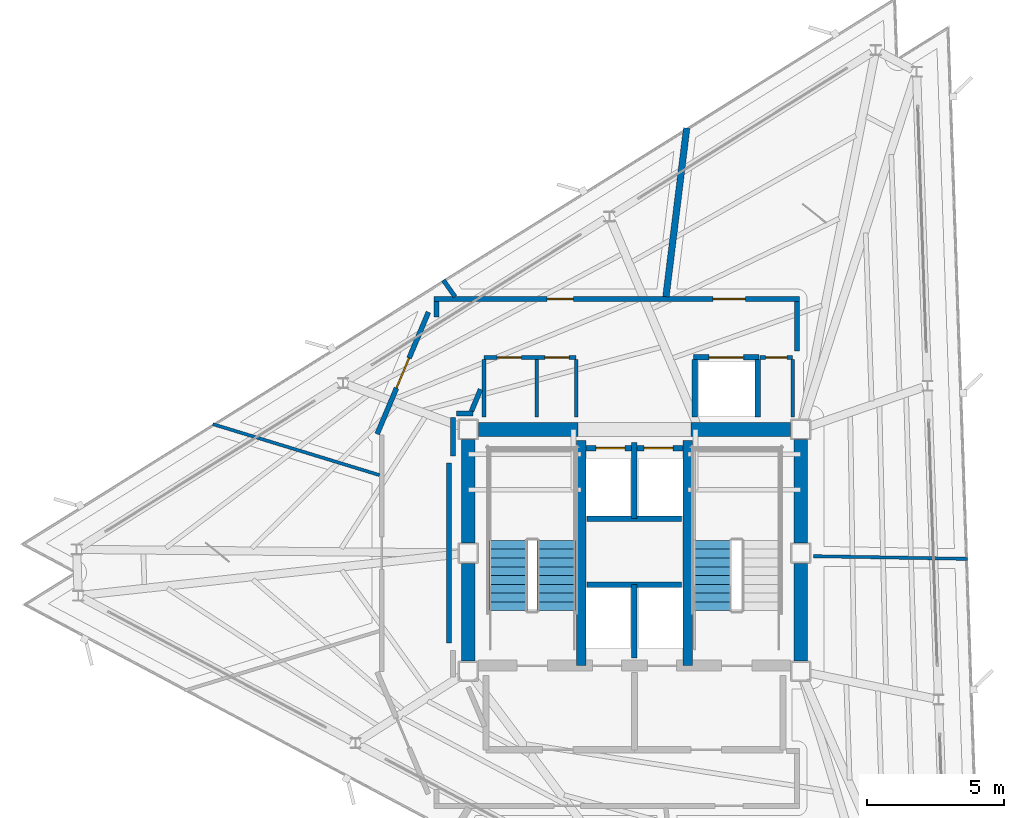
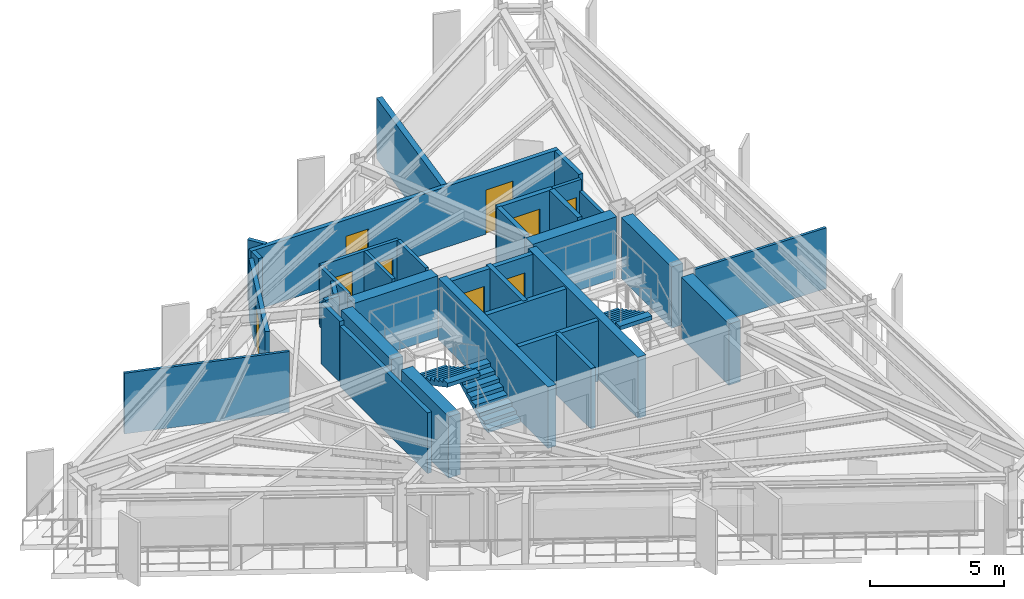
# One storey, part 9 of 13: 34 walls, 9 doors, 3 stair flights, 9 openings, 2 elements without a shape of their own.
"""IFC4 building model written with IfcOpenShell, lengths in metres."""

from ifc_helpers import new_model, si_unit, direction, frame, frame_2d, origin, place, context, subcontext, project, spatial, polyline, rectangle, outline, extrude, material, layer, layer_set, type_object, element, fill, aggregate, save


model = new_model("IFC4")

# Units and contexts
model_context = context("Model", 3, precision=1e-05, world=origin(), true_north=direction((0.0, 1.0)))
body_context = subcontext(model_context, "Body", "Model", "MODEL_VIEW")
ifc_project = project(units=[si_unit("LENGTHUNIT", "METRE"), si_unit("AREAUNIT", "SQUARE_METRE"), si_unit("VOLUMEUNIT", "CUBIC_METRE"), si_unit("PLANEANGLEUNIT", "RADIAN"), si_unit("MASSUNIT", "GRAM", prefix="KILO")], contexts=[model_context])

# Site, building, storey
site_placement = place(None, origin())
site = spatial("IfcSite", under=ifc_project, at=site_placement, CompositionType="ELEMENT")
building_placement = place(site_placement, origin())
building = spatial("IfcBuilding", under=site, at=building_placement, Name="Rocaltana Carrier Exchange", CompositionType="ELEMENT")
storey_placement = place(building_placement, frame((0.0, 0.0, 208.800048828125)))
storey = spatial("IfcBuildingStorey", under=building, at=storey_placement, Name="L66", CompositionType="ELEMENT", Elevation=208.800048828125)

# Walls
ifc_material_1 = material(Name="Double Acoustic Gypsum Partition", Category="gypsum")
ifc_layer_1 = layer(ifc_material_1, 0.159912109375)
ifc_layer_set_1 = layer_set([ifc_layer_1], Name="Double Acoustic Gypsum Partition")
wall_type_1 = type_object("IfcWallType", Name="Acoustic Studio Partition 160 EI60", PredefinedType="PARTITIONING", material=ifc_layer_set_1)
wall_1_placement = place(storey_placement, frame((-6.532958984375, 9.330078125, 0.0), z_axis=(0.0, 0.0, 1.0), x_axis=(-0.573639237496, 0.819108066866, 0.0)))
element("IfcWall", 1, at=wall_1_placement, inside=storey, type_object=wall_type_1, Name="L66 Suite Divider Wall D6", PredefinedType="PARTITIONING", context=body_context, shape_type="SweptSolid", body=[
    extrude(rectangle(XDim=0.740966796875, YDim=0.159912109375, at=frame_2d((0.37060546875, 0.0))), origin(), (0.0, 0.0, 1.0), 2.77294921875),
])
ifc_material_2 = material(Name="Concrete C50/60", Category="concrete")
ifc_layer_2 = layer(ifc_material_2, 0.35009765625)
ifc_layer_set_2 = layer_set([ifc_layer_2], Name="Concrete C50/60")
wall_type_2 = type_object("IfcWallType", Name="Core Internal Shear Wall 350", PredefinedType="SHEAR", material=ifc_layer_set_2)
for number, where, z_axis, x_axis, name in (
    (2, (-1.93994140625, -4.10009765625, 0.0), (0.0, 0.0, 1.0), (0.0, 1.0, 0.0), "L66 Core Shear Wall CW-STW"),
    (3, (1.93994140625, -4.10009765625, 0.0), (0.0, 0.0, 1.0), (0.0, 1.0, 0.0), "L66 Core Shear Wall CW-STE"),
):
    element("IfcWall", number, at=place(storey_placement, frame(where, z_axis=z_axis, x_axis=x_axis)), inside=storey, type_object=wall_type_2, Name=name, PredefinedType="SHEAR", context=body_context, shape_type="SweptSolid", body=[
        extrude(rectangle(XDim=8.2001953125, YDim=0.35009765625, at=frame_2d((4.10009765625, 0.0))), origin(), (0.0, 0.0, 1.0), 2.7978515625),
    ])
ifc_material_3 = material(Name="Concrete C50/60", Category="concrete")
ifc_layer_3 = layer(ifc_material_3, 0.5)
ifc_layer_set_3 = layer_set([ifc_layer_3], Name="Concrete C50/60")
wall_type_3 = type_object("IfcWallType", Name="Core Shear Wall 500", PredefinedType="SHEAR", material=ifc_layer_set_3)
wall_2_placement = place(storey_placement, frame((-6.050048828125, 0.375, 0.0), z_axis=(0.0, 0.0, 1.0), x_axis=(0.0, 1.0, 0.0)))
element("IfcWall", 4, at=wall_2_placement, inside=storey, type_object=wall_type_3, Name="L66 Core Shear Wall CW-WN", PredefinedType="SHEAR", context=body_context, shape_type="SweptSolid", body=[
    extrude(rectangle(XDim=3.75, YDim=0.5, at=frame_2d((1.875, 0.0))), origin(), (0.0, 0.0, 1.0), 2.7978515625),
])
wall_3_placement = place(storey_placement, frame((-6.050048828125, -3.925048828125, 0.0), z_axis=(0.0, 0.0, 1.0), x_axis=(0.0, 1.0, 0.0)))
element("IfcWall", 5, at=wall_3_placement, inside=storey, type_object=wall_type_3, Name="L66 Core Shear Wall CW-WS", PredefinedType="SHEAR", context=body_context, shape_type="SweptSolid", body=[
    extrude(rectangle(XDim=3.550048828125, YDim=0.5, at=frame_2d((1.77490234375, 0.0))), origin(), (0.0, 0.0, 1.0), 2.7978515625),
])
wall_4_placement = place(storey_placement, frame((6.050048828125, 0.375, 0.0), z_axis=(0.0, 0.0, 1.0), x_axis=(0.0, 1.0, 0.0)))
element("IfcWall", 6, at=wall_4_placement, inside=storey, type_object=wall_type_3, Name="L66 Core Shear Wall CW-EN", PredefinedType="SHEAR", context=body_context, shape_type="SweptSolid", body=[
    extrude(rectangle(XDim=3.75, YDim=0.5, at=frame_2d((1.875, 0.0))), origin(), (0.0, 0.0, 1.0), 2.7978515625),
])
wall_5_placement = place(storey_placement, frame((6.050048828125, -3.925048828125, 0.0), z_axis=(0.0, 0.0, 1.0), x_axis=(0.0, 1.0, 0.0)))
element("IfcWall", 7, at=wall_5_placement, inside=storey, type_object=wall_type_3, Name="L66 Core Shear Wall CW-ES", PredefinedType="SHEAR", context=body_context, shape_type="SweptSolid", body=[
    extrude(rectangle(XDim=3.550048828125, YDim=0.5, at=frame_2d((1.77490234375, 0.0))), origin(), (0.0, 0.0, 1.0), 2.7978515625),
])
for number, where, z_axis, x_axis, name in (
    (8, (-5.675048828125, 4.5, 0.0), (0.0, 0.0, 1.0), (1.0, 0.0, 0.0), "L66 Core Shear Wall CW-N1"),
    (9, (2.050048828125, 4.5, 0.0), (0.0, 0.0, 1.0), (1.0, 0.0, 0.0), "L66 Core Shear Wall CW-N2"),
):
    element("IfcWall", number, at=place(storey_placement, frame(where, z_axis=z_axis, x_axis=x_axis)), inside=storey, type_object=wall_type_3, Name=name, PredefinedType="SHEAR", context=body_context, shape_type="SweptSolid", body=[
        extrude(rectangle(XDim=3.625, YDim=0.5, at=frame_2d((1.8125, 0.0))), origin(), (0.0, 0.0, 1.0), 2.7978515625),
    ])

# Wall, opening, door
ifc_material_4 = material(Name="Gypsum & Steel Stud Partition", Category="steel")
ifc_layer_4 = layer(ifc_material_4, 0.179931640625)
ifc_layer_set_4 = layer_set([ifc_layer_4], Name="Gypsum & Steel Stud Partition")
wall_type_4 = type_object("IfcWallType", Name="Corridor Fire Partition 180 EI60", PredefinedType="PARTITIONING", material=ifc_layer_set_4)
wall_6_placement = place(storey_placement, frame((-9.36669921875, 4.331787109375, 0.0), z_axis=(0.0, 0.0, 1.0), x_axis=(0.387573945081, 0.921838617706, 0.0)))
wall_6 = element("IfcWall", 10, at=wall_6_placement, inside=storey, type_object=wall_type_4, Name="L66 Corridor Partition 3", PredefinedType="PARTITIONING", context=body_context, shape_type="SweptSolid", body=[
    extrude(rectangle(XDim=4.813232421875, YDim=0.179931640625, at=frame_2d((2.40673828125, 0.0))), origin(), (0.0, 0.0, 1.0), 2.77294921875),
])
opening_1_placement = place(wall_6_placement, frame((1.816650390625, 0.0, 0.0)))
opening_1 = element("IfcOpeningElement", 11, at=opening_1_placement, cuts=wall_6, Name="Opening D-SU120", PredefinedType="OPENING", context=body_context, shape_type="SweptSolid", body=[
    extrude(rectangle(XDim=1.179931640625, YDim=2.02001953125, at=frame_2d((0.58984375, 1.010009765625))), frame((0.0, 0.099853515625, 0.0), z_axis=(0.0, -1.0, 0.0), x_axis=(1.0, 0.0, 0.0)), (0.0, 0.0, 1.0), 0.199951171875),
])
ifc_material_5 = material(Name="Engineered Hardwood Timber", Category="wood")
door_type_1 = type_object("IfcDoorType", Name="Suite Double Entrance Door 1180x2020", OperationType="NOTDEFINED", PredefinedType="DOOR", material=ifc_material_5)
door_1_placement = place(opening_1_placement, origin())
door_1 = element("IfcDoor", 12, at=door_1_placement, inside=storey, type_object=door_type_1, Name="L66 Carrier Peering Suite Entrance Door", OperationType="SINGLE_SWING_LEFT", OverallHeight=2.02001953125, OverallWidth=1.179931640625, PredefinedType="DOOR", context=body_context, shape_type="SweptSolid", body=[
    extrude(rectangle(XDim=1.179931640625, YDim=2.02001953125, at=frame_2d((0.58984375, 1.010009765625))), frame((0.0, 0.02490234375, 0.0), z_axis=(0.0, -1.0, 0.0), x_axis=(1.0, 0.0, 0.0)), (0.0, 0.0, 1.0), 0.050048828125),
])
fill(opening_1, door_1)

# Wall
wall_7_placement = place(storey_placement, frame((-7.199951171875, 8.6005859375, 0.0), z_axis=(0.0, 0.0, 1.0), x_axis=(0.0, 1.0, 0.0)))
element("IfcWall", 13, at=wall_7_placement, inside=storey, type_object=wall_type_4, Name="L66 Corridor Partition 4", PredefinedType="PARTITIONING", context=body_context, shape_type="SweptSolid", body=[
    extrude(rectangle(XDim=0.559326171875, YDim=0.179931640625, at=frame_2d((0.27978515625, 0.0))), origin(), (0.0, 0.0, 1.0), 2.77294921875),
])

# Wall, openings, doors
wall_8_placement = place(storey_placement, frame((-7.2900390625, 9.25, 0.0), z_axis=(0.0, 0.0, 1.0), x_axis=(1.0, 0.0, 0.0)))
wall_8 = element("IfcWall", 14, at=wall_8_placement, inside=storey, type_object=wall_type_4, Name="L66 Corridor Partition 5", PredefinedType="PARTITIONING", context=body_context, shape_type="SweptSolid", body=[
    extrude(rectangle(XDim=13.300048828125, YDim=0.179931640625, at=frame_2d((6.64990234375, 0.0))), origin(), (0.0, 0.0, 1.0), 2.77294921875),
])
opening_2_placement = place(wall_8_placement, frame((10.14794921875, 0.0, 0.0)))
opening_2 = element("IfcOpeningElement", 15, at=opening_2_placement, cuts=wall_8, Name="Opening D-SU120", PredefinedType="OPENING", context=body_context, shape_type="SweptSolid", body=[
    extrude(rectangle(XDim=1.179931640625, YDim=2.02001953125, at=frame_2d((0.58984375, 1.010009765625))), frame((0.0, 0.099853515625, 0.0), z_axis=(0.0, -1.0, 0.0), x_axis=(1.0, 0.0, 0.0)), (0.0, 0.0, 1.0), 0.199951171875),
])
opening_3_placement = place(wall_8_placement, frame((4.109619140625, 0.0, 0.0)))
opening_3 = element("IfcOpeningElement", 16, at=opening_3_placement, cuts=wall_8, Name="Opening D-RM098", PredefinedType="OPENING", context=body_context, shape_type="SweptSolid", body=[
    extrude(rectangle(XDim=0.9599609375, YDim=2.02001953125, at=frame_2d((0.47998046875, 1.010009765625))), frame((0.0, 0.099853515625, 0.0), z_axis=(0.0, -1.0, 0.0), x_axis=(1.0, 0.0, 0.0)), (0.0, 0.0, 1.0), 0.199951171875),
])
door_2_placement = place(opening_2_placement, origin())
door_2 = element("IfcDoor", 17, at=door_2_placement, inside=storey, type_object=door_type_1, Name="L66 Carrier Peering Suite Entrance Door", OperationType="SINGLE_SWING_LEFT", OverallHeight=2.02001953125, OverallWidth=1.179931640625, PredefinedType="DOOR", context=body_context, shape_type="SweptSolid", body=[
    extrude(rectangle(XDim=1.179931640625, YDim=2.02001953125, at=frame_2d((0.58984375, 1.010009765625))), frame((0.0, 0.02490234375, 0.0), z_axis=(0.0, -1.0, 0.0), x_axis=(1.0, 0.0, 0.0)), (0.0, 0.0, 1.0), 0.050048828125),
])
fill(opening_2, door_2)
ifc_material_6 = material(Name="Engineered Hardwood Timber", Category="wood")
door_type_2 = type_object("IfcDoorType", Name="Workspace Single Door 960x2020", OperationType="NOTDEFINED", PredefinedType="DOOR", material=ifc_material_6)
door_3_placement = place(opening_3_placement, origin())
door_3 = element("IfcDoor", 18, at=door_3_placement, inside=storey, type_object=door_type_2, Name="L66 Peering Conference Room Entrance Door", OperationType="SINGLE_SWING_RIGHT", OverallHeight=2.02001953125, OverallWidth=0.9599609375, PredefinedType="DOOR", context=body_context, shape_type="SweptSolid", body=[
    extrude(rectangle(XDim=0.9599609375, YDim=2.02001953125, at=frame_2d((0.47998046875, 1.010009765625))), frame((0.0, 0.02490234375, 0.0), z_axis=(0.0, -1.0, 0.0), x_axis=(1.0, 0.0, 0.0)), (0.0, 0.0, 1.0), 0.050048828125),
])
fill(opening_3, door_3)

# Walls
wall_9_placement = place(storey_placement, frame((5.919921875, 9.159912109375, 0.0), z_axis=(0.0, 0.0, 1.0), x_axis=(0.0, -1.0, 0.0)))
element("IfcWall", 19, at=wall_9_placement, inside=storey, type_object=wall_type_4, Name="L66 Corridor Partition 6", PredefinedType="PARTITIONING", context=body_context, shape_type="SweptSolid", body=[
    extrude(rectangle(XDim=1.7998046875, YDim=0.179931640625, at=frame_2d((0.89990234375, 0.0))), origin(), (0.0, 0.0, 1.0), 2.77294921875),
])
wall_10_placement = place(storey_placement, frame((-5.602294921875, 5.9580078125, 0.0), z_axis=(0.0, 0.0, 1.0), x_axis=(-0.387588639363, -0.921832439566, 0.0)))
element("IfcWall", 20, at=wall_10_placement, inside=storey, type_object=wall_type_4, Name="L66 Corridor Partition 8", PredefinedType="PARTITIONING", context=body_context, shape_type="SweptSolid", body=[
    extrude(rectangle(XDim=0.8623046875, YDim=0.179931640625, at=frame_2d((0.43115234375, 0.0))), origin(), (0.0, 0.0, 1.0), 2.77294921875),
])
wall_11_placement = place(storey_placement, frame((-5.88134765625, 5.080078125, 0.0), z_axis=(0.0, 0.0, 1.0), x_axis=(-1.0, 0.0, 0.0)))
element("IfcWall", 21, at=wall_11_placement, inside=storey, type_object=wall_type_4, Name="L66 Corridor Partition 9", PredefinedType="PARTITIONING", context=body_context, shape_type="SweptSolid", body=[
    extrude(rectangle(XDim=0.588623046875, YDim=0.179931640625, at=frame_2d((0.29443359375, 0.0))), origin(), (0.0, 0.0, 1.0), 2.77294921875),
])
wall_12_placement = place(storey_placement, frame((-6.610107421875, 4.93994140625, 0.0), z_axis=(0.0, 0.0, 1.0), x_axis=(0.0, -1.0, 0.0)))
element("IfcWall", 22, at=wall_12_placement, inside=storey, type_object=wall_type_4, Name="L66 Corridor Partition 10", PredefinedType="PARTITIONING", context=body_context, shape_type="SweptSolid", body=[
    extrude(rectangle(XDim=1.398681640625, YDim=0.179931640625, at=frame_2d((0.69921875, 0.0))), origin(), (0.0, 0.0, 1.0), 2.77294921875),
])
wall_13_placement = place(storey_placement, frame((-6.75, 3.2734375, 0.0), z_axis=(0.0, 0.0, 1.0), x_axis=(0.0, -1.0, 0.0)))
element("IfcWall", 23, at=wall_13_placement, inside=storey, type_object=wall_type_4, Name="L66 Corridor Partition 11", PredefinedType="PARTITIONING", context=body_context, shape_type="SweptSolid", body=[
    extrude(rectangle(XDim=6.546875, YDim=0.179931640625, at=frame_2d((3.2734375, 0.0))), origin(), (0.0, 0.0, 1.0), 2.77294921875),
])
ifc_material_7 = material(Name="Aluminium 6063-T6 & Acoustic Glass", Category="aluminium")
ifc_layer_5 = layer(ifc_material_7, 0.114990234375)
ifc_layer_set_5 = layer_set([ifc_layer_5], Name="Aluminium 6063-T6 & Acoustic Glass")
wall_type_5 = type_object("IfcWallType", Name="Demountable Glazed Lab Partition 115", PredefinedType="MOVABLE", material=ifc_layer_set_5)
wall_14_placement = place(storey_placement, frame((6.510009765625, -0.113525390625, 0.0), z_axis=(0.0, 0.0, 1.0), x_axis=(0.999847502382, -0.017463446992, 0.0)))
element("IfcWall", 24, at=wall_14_placement, inside=storey, type_object=wall_type_5, Name="L66 Suite Divider Wall D4", PredefinedType="MOVABLE", context=body_context, shape_type="SweptSolid", body=[
    extrude(rectangle(XDim=5.6201171875, YDim=0.114990234375, at=frame_2d((2.81005859375, 0.0))), origin(), (0.0, 0.0, 1.0), 2.77294921875),
])
wall_15_placement = place(storey_placement, frame((-9.280029296875, 2.837158203125, 0.0), z_axis=(0.0, 0.0, 1.0), x_axis=(-0.956301397149, 0.292382690682, 0.0)))
element("IfcWall", 25, at=wall_15_placement, inside=storey, type_object=wall_type_5, Name="L66 Suite Divider Wall D7", PredefinedType="MOVABLE", context=body_context, shape_type="SweptSolid", body=[
    extrude(rectangle(XDim=6.34765625, YDim=0.114990234375, at=frame_2d((3.173828125, 0.0))), origin(), (0.0, 0.0, 1.0), 2.77294921875),
])
ifc_material_8 = material(Name="Acoustic Calcium Silicate Partition", Category="gypsum")
ifc_layer_6 = layer(ifc_material_8, 0.239990234375)
ifc_layer_set_6 = layer_set([ifc_layer_6], Name="Acoustic Calcium Silicate Partition")
wall_type_6 = type_object("IfcWallType", Name="Heavy Lab Partition 240 EI90", PredefinedType="PARTITIONING", material=ifc_layer_set_6)
wall_16_placement = place(storey_placement, frame((1.1455078125, 9.330078125, 0.0), z_axis=(0.0, 0.0, 1.0), x_axis=(0.121873572304, 0.992545632389, 0.0)))
element("IfcWall", 26, at=wall_16_placement, inside=storey, type_object=wall_type_6, Name="L66 Suite Divider Wall D5", PredefinedType="PARTITIONING", context=body_context, shape_type="SweptSolid", body=[
    extrude(rectangle(XDim=6.18798828125, YDim=0.239990234375, at=frame_2d((3.093994140625, 0.0))), origin(), (0.0, 0.0, 1.0), 2.77294921875),
])
ifc_material_9 = material(Name="Reinforced Concrete Block C35/45", Category="concrete")
ifc_layer_7 = layer(ifc_material_9, 0.199951171875)
ifc_layer_set_7 = layer_set([ifc_layer_7], Name="Reinforced Concrete Block C35/45")
wall_type_7 = type_object("IfcWallType", Name="Lift Hoistway Enclosure Wall 200 EI120", PredefinedType="PARTITIONING", material=ifc_layer_set_7)
wall_17_placement = place(storey_placement, frame((0.0, -3.820068359375, 0.0), z_axis=(0.0, 0.0, 1.0), x_axis=(0.0, 1.0, 0.0)))
element("IfcWall", 27, at=wall_17_placement, inside=storey, type_object=wall_type_7, Name="L66 FFL Shaft Divider", PredefinedType="PARTITIONING", context=body_context, shape_type="SweptSolid", body=[
    extrude(rectangle(XDim=2.670166015625, YDim=0.199951171875, at=frame_2d((1.3349609375, 0.0))), origin(), (0.0, 0.0, 1.0), 2.77294921875),
])
wall_18_placement = place(storey_placement, frame((-1.719970703125, -1.14990234375, 0.0), z_axis=(0.0, 0.0, 1.0), x_axis=(1.0, 0.0, 0.0)))
element("IfcWall", 28, at=wall_18_placement, inside=storey, type_object=wall_type_7, Name="L66 FFL Shaft Back Wall", PredefinedType="PARTITIONING", context=body_context, shape_type="SweptSolid", body=[
    extrude(rectangle(XDim=3.43994140625, YDim=0.199951171875, at=frame_2d((1.719970703125, 0.0))), origin(), (0.0, 0.0, 1.0), 2.77294921875),
])
wall_19_placement = place(storey_placement, frame((0.0, 1.25, 0.0), z_axis=(0.0, 0.0, 1.0), x_axis=(0.0, 1.0, 0.0)))
element("IfcWall", 29, at=wall_19_placement, inside=storey, type_object=wall_type_7, Name="L66 High-Rise Shaft Divider", PredefinedType="PARTITIONING", context=body_context, shape_type="SweptSolid", body=[
    extrude(rectangle(XDim=2.77001953125, YDim=0.199951171875, at=frame_2d((1.385009765625, 0.0))), origin(), (0.0, 0.0, 1.0), 2.77294921875),
])
wall_20_placement = place(storey_placement, frame((-1.719970703125, 1.25, 0.0), z_axis=(0.0, 0.0, 1.0), x_axis=(1.0, 0.0, 0.0)))
element("IfcWall", 30, at=wall_20_placement, inside=storey, type_object=wall_type_7, Name="L66 High-Rise Shaft Back Wall", PredefinedType="PARTITIONING", context=body_context, shape_type="SweptSolid", body=[
    extrude(rectangle(XDim=3.43994140625, YDim=0.199951171875, at=frame_2d((1.719970703125, 0.0))), origin(), (0.0, 0.0, 1.0), 2.77294921875),
])

# Wall, openings, doors
wall_21_placement = place(storey_placement, frame((-1.760009765625, 3.820068359375, 0.0), z_axis=(0.0, 0.0, 1.0), x_axis=(1.0, 0.0, 0.0)))
wall_21 = element("IfcWall", 31, at=wall_21_placement, inside=storey, type_object=wall_type_7, Name="L66 High-Rise Lift Front Wall", PredefinedType="PARTITIONING", context=body_context, shape_type="SweptSolid", body=[
    extrude(rectangle(XDim=3.52001953125, YDim=0.199951171875, at=frame_2d((1.760009765625, 0.0))), origin(), (0.0, 0.0, 1.0), 2.77294921875),
])
opening_4_placement = place(wall_21_placement, frame((0.35009765625, 0.0, 0.0)))
opening_4 = element("IfcOpeningElement", 32, at=opening_4_placement, cuts=wall_21, Name="Opening LD-110", PredefinedType="OPENING", context=body_context, shape_type="SweptSolid", body=[
    extrude(rectangle(XDim=1.06005859375, YDim=2.0400390625, at=frame_2d((0.530029296875, 1.02001953125))), frame((0.0, 0.10986328125, 0.0), z_axis=(0.0, -1.0, 0.0), x_axis=(1.0, 0.0, 0.0)), (0.0, 0.0, 1.0), 0.219970703125),
])
opening_5_placement = place(wall_21_placement, frame((2.110107421875, 0.0, 0.0)))
opening_5 = element("IfcOpeningElement", 33, at=opening_5_placement, cuts=wall_21, Name="Opening LD-110", PredefinedType="OPENING", context=body_context, shape_type="SweptSolid", body=[
    extrude(rectangle(XDim=1.06005859375, YDim=2.0400390625, at=frame_2d((0.530029296875, 1.02001953125))), frame((0.0, 0.10986328125, 0.0), z_axis=(0.0, -1.0, 0.0), x_axis=(1.0, 0.0, 0.0)), (0.0, 0.0, 1.0), 0.219970703125),
])
ifc_material_10 = material(Name="Brushed Stainless Sliding Door Leaf", Category="steel")
door_type_3 = type_object("IfcDoorType", Name="Lift Landing Sliding Door 1060x2040", OperationType="NOTDEFINED", PredefinedType="DOOR", material=ifc_material_10)
door_4_placement = place(opening_4_placement, origin())
door_4 = element("IfcDoor", 34, at=door_4_placement, inside=storey, type_object=door_type_3, Name="L66 High-Rise Lift PLH1 Landing Door", OperationType="SLIDING_TO_LEFT", OverallHeight=2.0400390625, OverallWidth=1.06005859375, PredefinedType="DOOR", context=body_context, shape_type="SweptSolid", body=[
    extrude(rectangle(XDim=1.06005859375, YDim=2.0400390625, at=frame_2d((0.530029296875, 1.02001953125))), frame((0.0, 0.02490234375, 0.0), z_axis=(0.0, -1.0, 0.0), x_axis=(1.0, 0.0, 0.0)), (0.0, 0.0, 1.0), 0.050048828125),
])
fill(opening_4, door_4)
door_5_placement = place(opening_5_placement, origin())
door_5 = element("IfcDoor", 35, at=door_5_placement, inside=storey, type_object=door_type_3, Name="L66 High-Rise Lift PLH2 Landing Door", OperationType="SLIDING_TO_RIGHT", OverallHeight=2.0400390625, OverallWidth=1.06005859375, PredefinedType="DOOR", context=body_context, shape_type="SweptSolid", body=[
    extrude(rectangle(XDim=1.06005859375, YDim=2.0400390625, at=frame_2d((0.530029296875, 1.02001953125))), frame((0.0, 0.02490234375, 0.0), z_axis=(0.0, -1.0, 0.0), x_axis=(1.0, 0.0, 0.0)), (0.0, 0.0, 1.0), 0.050048828125),
])
fill(opening_5, door_5)

# Walls
for number, where, z_axis, x_axis, name in (
    (36, (2.199951171875, 4.949951171875, 0.0), (0.0, 0.0, 1.0), (0.0, 1.0, 0.0), "L66 Goods Lift West Wall"),
    (37, (4.47998046875, 4.949951171875, 0.0), (0.0, 0.0, 1.0), (0.0, 1.0, 0.0), "L66 Goods Lift East Wall"),
):
    element("IfcWall", number, at=place(storey_placement, frame(where, z_axis=z_axis, x_axis=x_axis)), inside=storey, type_object=wall_type_7, Name=name, PredefinedType="PARTITIONING", context=body_context, shape_type="SweptSolid", body=[
        extrude(rectangle(XDim=2.10009765625, YDim=0.199951171875, at=frame_2d((1.050048828125, 0.0))), origin(), (0.0, 0.0, 1.0), 2.77294921875),
    ])

# Wall, opening, door
wall_22_placement = place(storey_placement, frame((2.14990234375, 7.1201171875, 0.0), z_axis=(0.0, 0.0, 1.0), x_axis=(1.0, 0.0, 0.0)))
wall_22 = element("IfcWall", 38, at=wall_22_placement, inside=storey, type_object=wall_type_7, Name="L66 Goods Lift Front Wall", PredefinedType="PARTITIONING", context=body_context, shape_type="SweptSolid", body=[
    extrude(rectangle(XDim=2.380126953125, YDim=0.199951171875, at=frame_2d((1.18994140625, 0.0))), origin(), (0.0, 0.0, 1.0), 2.77294921875),
])
opening_6_placement = place(wall_22_placement, frame((0.56005859375, 0.0, 0.0)))
opening_6 = element("IfcOpeningElement", 39, at=opening_6_placement, cuts=wall_22, Name="Opening LD-130", PredefinedType="OPENING", context=body_context, shape_type="SweptSolid", body=[
    extrude(rectangle(XDim=1.260009765625, YDim=2.06005859375, at=frame_2d((0.6298828125, 1.030029296875))), frame((0.0, 0.10986328125, 0.0), z_axis=(0.0, -1.0, 0.0), x_axis=(1.0, 0.0, 0.0)), (0.0, 0.0, 1.0), 0.219970703125),
])
ifc_material_11 = material(Name="Brushed Stainless Sliding Door Leaf", Category="steel")
door_type_4 = type_object("IfcDoorType", Name="Goods Lift Landing Sliding Door 1260x2060", OperationType="NOTDEFINED", PredefinedType="DOOR", material=ifc_material_11)
door_6_placement = place(opening_6_placement, origin())
door_6 = element("IfcDoor", 40, at=door_6_placement, inside=storey, type_object=door_type_4, Name="L66 Goods Lift GL-1 Landing Door", OperationType="SLIDING_TO_LEFT", OverallHeight=2.06005859375, OverallWidth=1.260009765625, PredefinedType="DOOR", context=body_context, shape_type="SweptSolid", body=[
    extrude(rectangle(XDim=1.260009765625, YDim=2.06005859375, at=frame_2d((0.6298828125, 1.030029296875))), frame((0.0, 0.02490234375, 0.0), z_axis=(0.0, -1.0, 0.0), x_axis=(1.0, 0.0, 0.0)), (0.0, 0.0, 1.0), 0.050048828125),
])
fill(opening_6, door_6)

# Walls
ifc_material_12 = material(Name="Moisture-Resistant Masonry C30/37", Category="masonry")
ifc_layer_8 = layer(ifc_material_12, 0.139892578125)
ifc_layer_set_8 = layer_set([ifc_layer_8], Name="Moisture-Resistant Masonry C30/37")
wall_type_8 = type_object("IfcWallType", Name="Wet-Area Sanitary Partition 140", PredefinedType="PARTITIONING", material=ifc_layer_set_8)
for number, where, z_axis, x_axis, name in (
    (41, (-5.47998046875, 4.949951171875, 0.0), (0.0, 0.0, 1.0), (0.0, 1.0, 0.0), "L66 Sanitary West Wall"),
    (42, (-3.56005859375, 4.949951171875, 0.0), (0.0, 0.0, 1.0), (0.0, 1.0, 0.0), "L66 Sanitary Divider"),
    (43, (-2.1201171875, 4.949951171875, 0.0), (0.0, 0.0, 1.0), (0.0, 1.0, 0.0), "L66 Sanitary East Wall"),
):
    element("IfcWall", number, at=place(storey_placement, frame(where, z_axis=z_axis, x_axis=x_axis)), inside=storey, type_object=wall_type_8, Name=name, PredefinedType="PARTITIONING", context=body_context, shape_type="SweptSolid", body=[
        extrude(rectangle(XDim=2.10009765625, YDim=0.139892578125, at=frame_2d((1.050048828125, 0.0))), origin(), (0.0, 0.0, 1.0), 2.77294921875),
    ])

# Wall, openings, doors
wall_23_placement = place(storey_placement, frame((-5.47998046875, 7.1201171875, 0.0), z_axis=(0.0, 0.0, 1.0), x_axis=(1.0, 0.0, 0.0)))
wall_23 = element("IfcWall", 44, at=wall_23_placement, inside=storey, type_object=wall_type_8, Name="L66 Sanitary North Wall", PredefinedType="PARTITIONING", context=body_context, shape_type="SweptSolid", body=[
    extrude(rectangle(XDim=3.35986328125, YDim=0.139892578125, at=frame_2d((1.679931640625, 0.0))), origin(), (0.0, 0.0, 1.0), 2.77294921875),
])
opening_7_placement = place(wall_23_placement, frame((0.47998046875, 0.0, 0.0)))
opening_7 = element("IfcOpeningElement", 45, at=opening_7_placement, cuts=wall_23, Name="Opening D-WC090", PredefinedType="OPENING", context=body_context, shape_type="SweptSolid", body=[
    extrude(rectangle(XDim=0.8798828125, YDim=2.02001953125, at=frame_2d((0.43994140625, 1.010009765625))), frame((0.0, 0.079833984375, 0.0), z_axis=(0.0, -1.0, 0.0), x_axis=(1.0, 0.0, 0.0)), (0.0, 0.0, 1.0), 0.159912109375),
])
opening_8_placement = place(wall_23_placement, frame((2.219970703125, 0.0, 0.0)))
opening_8 = element("IfcOpeningElement", 46, at=opening_8_placement, cuts=wall_23, Name="Opening D-WC090", PredefinedType="OPENING", context=body_context, shape_type="SweptSolid", body=[
    extrude(rectangle(XDim=0.8798828125, YDim=2.02001953125, at=frame_2d((0.43994140625, 1.010009765625))), frame((0.0, 0.079833984375, 0.0), z_axis=(0.0, -1.0, 0.0), x_axis=(1.0, 0.0, 0.0)), (0.0, 0.0, 1.0), 0.159912109375),
])
ifc_material_13 = material(Name="High-Pressure Laminate Timber", Category="wood")
door_type_5 = type_object("IfcDoorType", Name="Restroom & Accessible WC Door 880x2020", OperationType="NOTDEFINED", PredefinedType="DOOR", material=ifc_material_13)
door_7_placement = place(opening_7_placement, origin())
door_7 = element("IfcDoor", 47, at=door_7_placement, inside=storey, type_object=door_type_5, Name="L66 Accessible Toilet Door", OperationType="SINGLE_SWING_RIGHT", OverallHeight=2.02001953125, OverallWidth=0.8798828125, PredefinedType="DOOR", context=body_context, shape_type="SweptSolid", body=[
    extrude(rectangle(XDim=0.8798828125, YDim=2.02001953125, at=frame_2d((0.43994140625, 1.010009765625))), frame((0.0, 0.02490234375, 0.0), z_axis=(0.0, -1.0, 0.0), x_axis=(1.0, 0.0, 0.0)), (0.0, 0.0, 1.0), 0.050048828125),
])
fill(opening_7, door_7)
door_8_placement = place(opening_8_placement, origin())
door_8 = element("IfcDoor", 48, at=door_8_placement, inside=storey, type_object=door_type_5, Name="L66 Staff Restroom Door", OperationType="SINGLE_SWING_LEFT", OverallHeight=2.02001953125, OverallWidth=0.8798828125, PredefinedType="DOOR", context=body_context, shape_type="SweptSolid", body=[
    extrude(rectangle(XDim=0.8798828125, YDim=2.02001953125, at=frame_2d((0.43994140625, 1.010009765625))), frame((0.0, 0.02490234375, 0.0), z_axis=(0.0, -1.0, 0.0), x_axis=(1.0, 0.0, 0.0)), (0.0, 0.0, 1.0), 0.050048828125),
])
fill(opening_8, door_8)

# Wall
wall_24_placement = place(storey_placement, frame((5.760009765625, 4.949951171875, 0.0), z_axis=(0.0, 0.0, 1.0), x_axis=(0.0, 1.0, 0.0)))
element("IfcWall", 49, at=wall_24_placement, inside=storey, type_object=wall_type_8, Name="L66 Riser East Wall", PredefinedType="PARTITIONING", context=body_context, shape_type="SweptSolid", body=[
    extrude(rectangle(XDim=2.10009765625, YDim=0.139892578125, at=frame_2d((1.050048828125, 0.0))), origin(), (0.0, 0.0, 1.0), 2.2529296875),
])

# Wall, opening, door
wall_25_placement = place(storey_placement, frame((4.56005859375, 7.1201171875, 0.0), z_axis=(0.0, 0.0, 1.0), x_axis=(1.0, 0.0, 0.0)))
wall_25 = element("IfcWall", 50, at=wall_25_placement, inside=storey, type_object=wall_type_8, Name="L66 Riser North Wall", PredefinedType="PARTITIONING", context=body_context, shape_type="SweptSolid", body=[
    extrude(rectangle(XDim=1.199951171875, YDim=0.139892578125, at=frame_2d((0.60009765625, 0.0))), origin(), (0.0, 0.0, 1.0), 2.77294921875),
])
opening_9_placement = place(wall_25_placement, frame((0.2099609375, 0.0, 0.0)))
opening_9 = element("IfcOpeningElement", 51, at=opening_9_placement, cuts=wall_25, Name="Opening D-RS082", PredefinedType="OPENING", context=body_context, shape_type="SweptSolid", body=[
    extrude(rectangle(XDim=0.780029296875, YDim=2.010009765625, at=frame_2d((0.39013671875, 1.0048828125))), frame((0.0, 0.079833984375, 0.0), z_axis=(0.0, -1.0, 0.0), x_axis=(1.0, 0.0, 0.0)), (0.0, 0.0, 1.0), 0.159912109375),
])
ifc_material_14 = material(Name="Hollow Metal Access Door Leaf", Category="steel")
door_type_6 = type_object("IfcDoorType", Name="Riser & Service Closet Door 780x2010", OperationType="NOTDEFINED", PredefinedType="DOOR", material=ifc_material_14)
door_9_placement = place(opening_9_placement, origin())
door_9 = element("IfcDoor", 52, at=door_9_placement, inside=storey, type_object=door_type_6, Name="L66 Fibre Riser Closet Door", OperationType="SINGLE_SWING_RIGHT", OverallHeight=2.010009765625, OverallWidth=0.780029296875, PredefinedType="DOOR", context=body_context, shape_type="SweptSolid", body=[
    extrude(rectangle(XDim=0.780029296875, YDim=2.010009765625, at=frame_2d((0.39013671875, 1.0048828125))), frame((0.0, 0.02490234375, 0.0), z_axis=(0.0, -1.0, 0.0), x_axis=(1.0, 0.0, 0.0)), (0.0, 0.0, 1.0), 0.050048828125),
])
fill(opening_9, door_9)

# Stair, stair flights
ifc_material_15 = material(Name="Precast concrete C45/55", Category="concrete")
stair_type = type_object("IfcStairType", Name="Standard Dog-Leg Stair 160", PredefinedType="HALF_TURN_STAIR", material=ifc_material_15)
stair_1_placement = place(storey_placement, origin())
stair_1 = element("IfcStair", 53, at=stair_1_placement, inside=storey, type_object=stair_type, Name="L66 Core West Exit Stair ST-1", PredefinedType="HALF_TURN_STAIR")
ifc_material_16 = material(Name="Precast concrete C45/55", Category="concrete")
stair_flight_type = type_object("IfcStairFlightType", Name="Precast Stair Flight 160", PredefinedType="STRAIGHT", material=ifc_material_16)
stair_flight_1_placement = place(storey_placement, frame((-2.840087890625, -2.10009765625, 0.0), z_axis=(0.0, 0.0, 1.0), x_axis=(0.0, 1.0, 0.0)))
stair_flight_1 = element("IfcStairFlight", 54, at=stair_flight_1_placement, type_object=stair_flight_type, Name="ST-1 flight 1", NumberOfRisers=9, NumberOfTreads=8, PredefinedType="STRAIGHT", RiserHeight=0.168888889, TreadLength=0.32, context=body_context, shape_type="SweptSolid", body=[
    extrude(outline(polyline([(0.0, 0.0), (0.0, 0.1689453125), (0.320068359375, 0.1689453125), (0.320068359375, 0.337890625), (0.639892578125, 0.337890625), (0.639892578125, 0.506591796875), (0.9599609375, 0.506591796875), (0.9599609375, 0.675537109375), (1.280029296875, 0.675537109375), (1.280029296875, 0.844482421875), (1.60009765625, 0.844482421875), (1.60009765625, 1.013427734375), (1.919921875, 1.013427734375), (1.919921875, 1.18212890625), (2.239990234375, 1.18212890625), (2.239990234375, 1.35107421875), (2.56005859375, 1.35107421875), (2.56005859375, 1.52001953125), (2.56005859375, 1.17041015625), (0.342529296875, 0.0), (0.0, 0.0)])), frame((0.0, 0.699951171875, 0.0), z_axis=(0.0, -1.0, 0.0), x_axis=(1.0, 0.0, 0.0)), (0.0, 0.0, 1.0), 1.39990234375),
])
stair_flight_2_placement = place(storey_placement, frame((-4.60009765625, 0.4599609375, 1.52001953125), z_axis=(0.0, 0.0, 1.0), x_axis=(0.0, -1.0, 0.0)))
stair_flight_2 = element("IfcStairFlight", 55, at=stair_flight_2_placement, type_object=stair_flight_type, Name="ST-1 flight 2", NumberOfRisers=9, NumberOfTreads=8, PredefinedType="STRAIGHT", RiserHeight=0.168888889, TreadLength=0.32, context=body_context, shape_type="SweptSolid", body=[
    extrude(outline(polyline([(0.0, 0.0), (0.0, 0.1689453125), (0.320068359375, 0.1689453125), (0.320068359375, 0.337890625), (0.639892578125, 0.337890625), (0.639892578125, 0.506591796875), (0.9599609375, 0.506591796875), (0.9599609375, 0.675537109375), (1.280029296875, 0.675537109375), (1.280029296875, 0.844482421875), (1.60009765625, 0.844482421875), (1.60009765625, 1.013427734375), (1.919921875, 1.013427734375), (1.919921875, 1.18212890625), (2.239990234375, 1.18212890625), (2.239990234375, 1.35107421875), (2.56005859375, 1.35107421875), (2.56005859375, 1.52001953125), (2.56005859375, 1.17041015625), (0.342529296875, 0.0), (0.0, 0.0)])), frame((0.0, 0.699951171875, 0.0), z_axis=(0.0, -1.0, 0.0), x_axis=(1.0, 0.0, 0.0)), (0.0, 0.0, 1.0), 1.39990234375),
])
aggregate(stair_1, [stair_flight_1, stair_flight_2])

# Stair, stair flight
stair_2_placement = place(storey_placement, origin())
stair_2 = element("IfcStair", 56, at=stair_2_placement, inside=storey, type_object=stair_type, Name="L66 Core East Exit Stair ST-2", PredefinedType="HALF_TURN_STAIR")
stair_flight_3_placement = place(storey_placement, frame((2.840087890625, 0.4599609375, 1.52001953125), z_axis=(0.0, 0.0, 1.0), x_axis=(0.0, -1.0, 0.0)))
stair_flight_3 = element("IfcStairFlight", 57, at=stair_flight_3_placement, type_object=stair_flight_type, Name="ST-2 flight 2", NumberOfRisers=9, NumberOfTreads=8, PredefinedType="STRAIGHT", RiserHeight=0.168888889, TreadLength=0.32, context=body_context, shape_type="SweptSolid", body=[
    extrude(outline(polyline([(0.0, 0.0), (0.0, 0.1689453125), (0.320068359375, 0.1689453125), (0.320068359375, 0.337890625), (0.639892578125, 0.337890625), (0.639892578125, 0.506591796875), (0.9599609375, 0.506591796875), (0.9599609375, 0.675537109375), (1.280029296875, 0.675537109375), (1.280029296875, 0.844482421875), (1.60009765625, 0.844482421875), (1.60009765625, 1.013427734375), (1.919921875, 1.013427734375), (1.919921875, 1.18212890625), (2.239990234375, 1.18212890625), (2.239990234375, 1.35107421875), (2.56005859375, 1.35107421875), (2.56005859375, 1.52001953125), (2.56005859375, 1.17041015625), (0.342529296875, 0.0), (0.0, 0.0)])), frame((0.0, 0.699951171875, 0.0), z_axis=(0.0, -1.0, 0.0), x_axis=(1.0, 0.0, 0.0)), (0.0, 0.0, 1.0), 1.39990234375),
])
aggregate(stair_2, [stair_flight_3])

save(model, "model.ifc")
